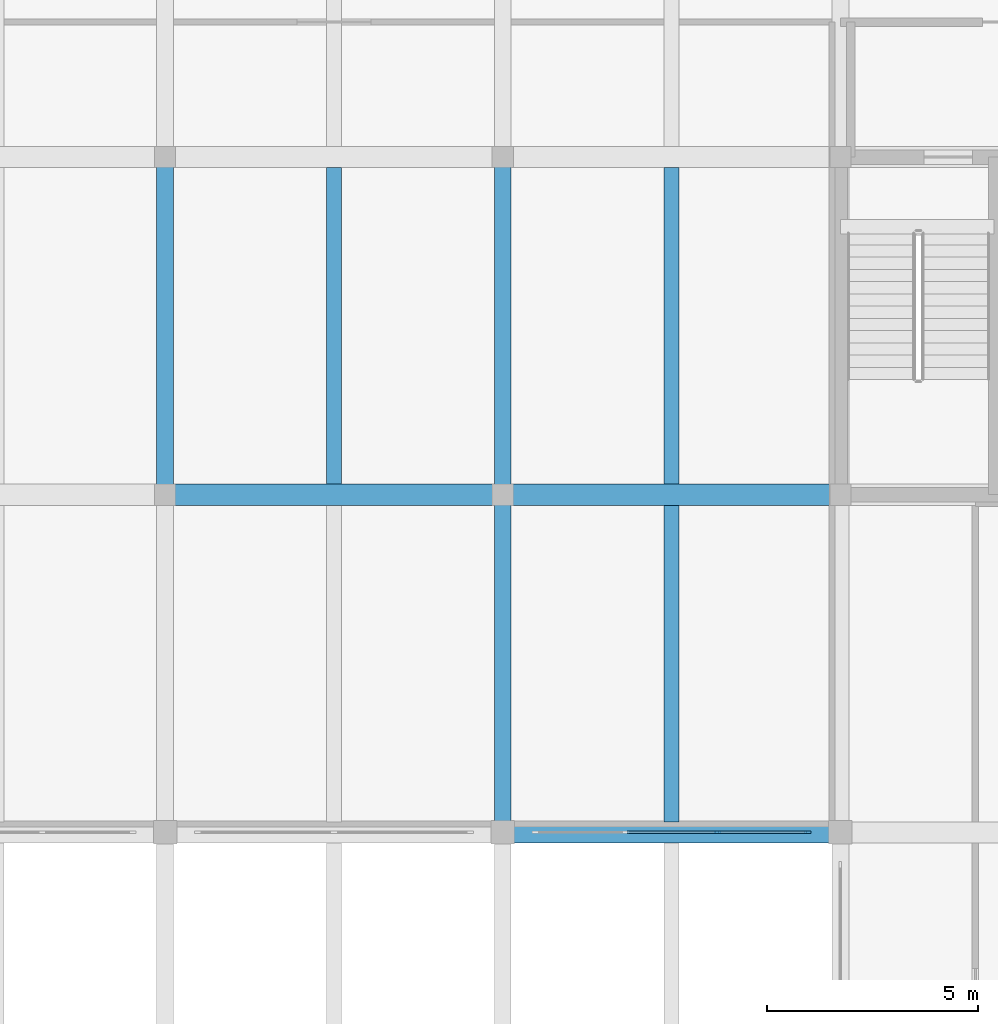
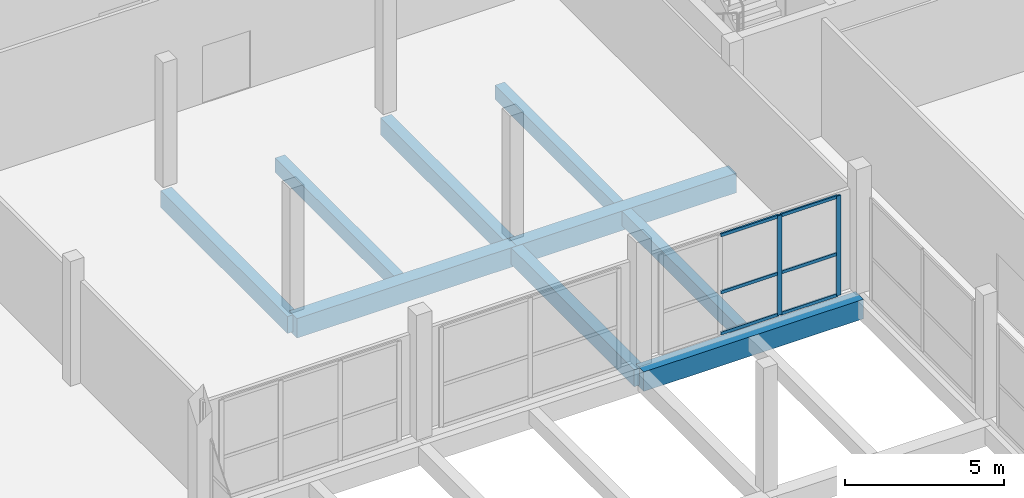
# One storey, part 9 of 47: 9 beams, 8 members, 1 element without a shape of its own.
"""IFC4 building model written with IfcOpenShell, lengths in metres."""

import ifcopenshell
import ifcopenshell.guid

model = None  # the IFC model being written
_history = None  # IfcOwnerHistory: only IFC2X3 demands one
_inside = {}  # id of a spatial element -> (the spatial element, [elements in it])
_under = {}  # id of a project, library or spatial element -> (it, [spatial elements below it])
_declared = {}  # id of a project -> (the project, [libraries it declares])
_typed = {}  # id of a type object -> (the type object, [elements of that type])
_made_of = {}  # id of a material, layer set ... -> (it, [elements and type objects made of it])


def new_model(schema):
    """Start an empty IFC model of exactly this schema.

    Asked for "IFC4X3", IfcOpenShell would pick the latest addendum, in which some entities
    have other attributes; the version numbers below select the first issue.
    IFC2X3 requires an IfcOwnerHistory on every rooted entity: one is made here for all.
    """
    global model, _history
    if schema == "IFC4X3":
        model = ifcopenshell.file(schema_version=(4, 3, 0, 0))
    else:
        model = ifcopenshell.file(schema=schema)
    _inside.clear()
    _under.clear()
    _declared.clear()
    _typed.clear()
    _made_of.clear()
    _history = None
    if model.schema == "IFC2X3":
        org = make("IfcOrganization", Name="unknown")
        user = make(
            "IfcPersonAndOrganization",
            ThePerson=make("IfcPerson", FamilyName="unknown"),
            TheOrganization=org,
        )
        app = make(
            "IfcApplication",
            ApplicationDeveloper=org,
            Version="unknown",
            ApplicationFullName="unknown",
            ApplicationIdentifier="unknown",
        )
        _history = make(
            "IfcOwnerHistory",
            OwningUser=user,
            OwningApplication=app,
            ChangeAction="ADDED",
            CreationDate=0,
        )
    return model


def make(cls, **values):
    """One entity of the class cls with the attributes given. An attribute that is None is left unset."""
    return model.create_entity(
        cls, **{name: value for name, value in values.items() if value is not None}
    )


def rooted(cls, **values):
    """An entity with a GlobalId (a new one), such as an element, a storey or a relation."""
    return make(cls, GlobalId=ifcopenshell.guid.new(), OwnerHistory=_history, **values)


def si_unit(unit_type, name, prefix=None):
    """IfcSIUnit, for example si_unit("LENGTHUNIT", "METRE", prefix="MILLI")."""
    return make("IfcSIUnit", UnitType=unit_type, Prefix=prefix, Name=name)


def assignment(units):
    """IfcUnitAssignment: the units of a project."""
    return None if units is None else make("IfcUnitAssignment", Units=units)


def point(xyz):
    """IfcCartesianPoint."""
    return None if xyz is None else make("IfcCartesianPoint", Coordinates=xyz)


def direction(xyz):
    """IfcDirection."""
    return None if xyz is None else make("IfcDirection", DirectionRatios=xyz)


def frame(location, z_axis=None, x_axis=None):
    """IfcAxis2Placement3D, a coordinate frame: its origin and axes. An axis left out is left unset."""
    return make(
        "IfcAxis2Placement3D",
        Location=point(location),
        Axis=direction(z_axis),
        RefDirection=direction(x_axis),
    )


def frame_2d(location, x_axis=None):
    """IfcAxis2Placement2D, a coordinate frame in the plane: its origin and x axis."""
    return make(
        "IfcAxis2Placement2D", Location=point(location), RefDirection=direction(x_axis)
    )


def origin():
    """The frame at (0, 0, 0) with its axes left unset."""
    return frame((0.0, 0.0, 0.0))


def origin_2d():
    """The frame at (0, 0) in the plane with its x axis left unset."""
    return frame_2d((0.0, 0.0))


def place(relative_to, where):
    """IfcLocalPlacement: puts the frame where relative to a parent placement (None: the world)."""
    return make(
        "IfcLocalPlacement", PlacementRelTo=relative_to, RelativePlacement=where
    )


def context(
    kind, dimensions, precision=None, world=None, true_north=None, identifier=None
):
    """IfcGeometricRepresentationContext, for example the 3D "Model" context."""
    return make(
        "IfcGeometricRepresentationContext",
        ContextIdentifier=identifier,
        ContextType=kind,
        CoordinateSpaceDimension=dimensions,
        Precision=precision,
        WorldCoordinateSystem=world,
        TrueNorth=true_north,
    )


def subcontext(parent, identifier, kind, view, scale=None):
    """IfcGeometricRepresentationSubContext, for example "Body" below "Model"."""
    return make(
        "IfcGeometricRepresentationSubContext",
        ContextIdentifier=identifier,
        ContextType=kind,
        ParentContext=parent,
        TargetScale=scale,
        TargetView=view,
    )


def project(units=None, contexts=None):
    """IfcProject with its units and contexts."""
    return rooted(
        "IfcProject",
        Name="project",
        RepresentationContexts=contexts,
        UnitsInContext=assignment(units),
    )


def spatial(cls, under=None, at=None, **own):
    """A site, building, storey or space (cls), placed at a placement, below another one or the project."""
    s = rooted(cls, ObjectPlacement=at, **own)
    if under is not None:
        _under.setdefault(under.id(), (under, []))[1].append(s)
    return s


def profile(cls, at=None, kind="AREA", **sizes):
    """A parametric profile (cls). Its sizes go by their IFC names, for example OverallWidth=200.0."""
    return make(cls, ProfileType=kind, Position=at, **sizes)


def rectangle(**sizes):
    """IfcRectangleProfileDef."""
    return profile("IfcRectangleProfileDef", **sizes)


def extrude(swept, where, along, depth):
    """IfcExtrudedAreaSolid: the profile swept, set in the frame where, extruded along a direction by depth."""
    return make(
        "IfcExtrudedAreaSolid",
        SweptArea=swept,
        Position=where,
        ExtrudedDirection=direction(along),
        Depth=depth,
    )


def shape(context_of_items, identifier, shape_type, items):
    """IfcShapeRepresentation: the items that make up one representation, for example the "Body"."""
    return make(
        "IfcShapeRepresentation",
        ContextOfItems=context_of_items,
        RepresentationIdentifier=identifier,
        RepresentationType=shape_type,
        Items=items,
    )


def material(Name=None, Category=None):
    """IfcMaterial."""
    return make("IfcMaterial", Name=Name, Category=Category)


def material_profile(
    of_material, cross_section, Name=None, Category=None, Priority=None
):
    """IfcMaterialProfile: a cross section and its material."""
    return make(
        "IfcMaterialProfile",
        Name=Name,
        Material=of_material,
        Profile=cross_section,
        Priority=Priority,
        Category=Category,
    )


def profile_set(profiles, Name=None, composite=None):
    """IfcMaterialProfileSet."""
    return make(
        "IfcMaterialProfileSet",
        Name=Name,
        MaterialProfiles=profiles,
        CompositeProfile=composite,
    )


def made_of(thing, what):
    """Note that an element or type object is made of a material, layer set ...; save() writes the relation."""
    if what is not None:
        _made_of.setdefault(what.id(), (what, []))[1].append(thing)
    return thing


def type_object(cls, material=None, **own):
    """A type object (cls), such as IfcWallType, which elements share."""
    return made_of(rooted(cls, **own), material)


def element(
    cls,
    number,
    at=None,
    inside=None,
    cuts=None,
    type_object=None,
    material=None,
    context=None,
    identifier="Body",
    shape_type=None,
    held_by="IfcProductDefinitionShape",
    body=None,
    shapes=None,
    **own,
):
    """One element of the class cls, such as IfcWall. Its Tag is "e" and its number.

    at: its placement. inside: the storey or other place that contains it. cuts: it is an
    opening in that element (IfcRelVoidsElement). A single representation is given by context,
    identifier, shape_type and body (its items); several are given by shapes. held_by: the class
    of the entity that holds the representations. save() writes the other relations.
    """
    e = rooted(cls, Tag="e%d" % number, ObjectPlacement=at, **own)
    if body is not None:
        shapes = [shape(context, identifier, shape_type, body)]
    if shapes is not None:
        e.Representation = make(held_by, Representations=shapes)
    if inside is not None:
        _inside.setdefault(inside.id(), (inside, []))[1].append(e)
    if cuts is not None:
        rooted(
            "IfcRelVoidsElement", RelatingBuildingElement=cuts, RelatedOpeningElement=e
        )
    if type_object is not None:
        _typed.setdefault(type_object.id(), (type_object, []))[1].append(e)
    return made_of(e, material)


def aggregate(whole, parts):
    """IfcRelAggregates: a whole, such as a stair, and the parts it consists of."""
    return rooted("IfcRelAggregates", RelatingObject=whole, RelatedObjects=parts)


def save(model, path):
    """Write the relations noted so far, then the file.

    IfcRelAggregates (storeys below a building ...), IfcRelContainedInSpatialStructure (elements
    in a storey), IfcRelDefinesByType, IfcRelAssociatesMaterial and IfcRelDeclares: one each for
    every whole, place, type object, material and project.
    """
    for whole, parts in _under.values():
        aggregate(whole, parts)
    for where, things in _inside.values():
        rooted(
            "IfcRelContainedInSpatialStructure",
            RelatedElements=things,
            RelatingStructure=where,
        )
    for kind, things in _typed.values():
        rooted("IfcRelDefinesByType", RelatedObjects=things, RelatingType=kind)
    for what, things in _made_of.values():
        rooted("IfcRelAssociatesMaterial", RelatedObjects=things, RelatingMaterial=what)
    for by, libraries in _declared.values():
        rooted("IfcRelDeclares", RelatingContext=by, RelatedDefinitions=libraries)
    model.write(path)


model = new_model("IFC4")

# Units and contexts
model_context = context("Model", 3, precision=1e-05, world=origin(), true_north=direction((0.0, 1.0)))
body_context = subcontext(model_context, "Body", "Model", "MODEL_VIEW")
ifc_project = project(units=[si_unit("LENGTHUNIT", "METRE"), si_unit("AREAUNIT", "SQUARE_METRE"), si_unit("VOLUMEUNIT", "CUBIC_METRE"), si_unit("PLANEANGLEUNIT", "RADIAN"), si_unit("MASSUNIT", "GRAM", prefix="KILO")], contexts=[model_context])

# Site, building, storey
site_placement = place(None, origin())
site = spatial("IfcSite", under=ifc_project, at=site_placement, CompositionType="ELEMENT")
building_placement = place(site_placement, origin())
building = spatial("IfcBuilding", under=site, at=building_placement, Name="Vharandega Faculty of Natural Sciences", CompositionType="ELEMENT")
storey_placement = place(building_placement, frame((0.0, 0.0, 5.39990234375)))
storey = spatial("IfcBuildingStorey", under=building, at=storey_placement, Name="L01", CompositionType="ELEMENT", Elevation=5.39990234375)

# Curtain wall, members
ifc_material_1 = material(Name="Aluminium and solar-control glass curtain wall", Category="aluminium")
curtain_wall_type = type_object("IfcCurtainWallType", Name="Unitised Curtain Wall System CW-15", PredefinedType="NOTDEFINED", material=ifc_material_1)
curtain_wall_placement = place(storey_placement, origin())
curtain_wall = element("IfcCurtainWall", 1, at=curtain_wall_placement, inside=storey, type_object=curtain_wall_type, Name="Curtain Wall CW-L01-126", PredefinedType="NOTDEFINED")
ifc_material_2 = material(Name="Thermally broken aluminium 6063-T6", Category="aluminium")
ifc_material_profile_1 = material_profile(ifc_material_2, rectangle(XDim=0.06005859375, YDim=0.159912109375, at=origin_2d()), Name="ALU 60x160")
ifc_profile_set_1 = profile_set([ifc_material_profile_1], Name="Thermally broken aluminium 6063-T6")
member_type_1 = type_object("IfcMemberType", Name="CW Mullion 60x160", PredefinedType="MULLION", material=ifc_profile_set_1)
member_1_placement = place(storey_placement, frame((29.086669921875, 32.0, 0.0), z_axis=(0.0, 0.0, 1.0), x_axis=(0.0, 1.0, 0.0)))
member_1 = element("IfcMember", 2, at=member_1_placement, type_object=member_type_1, Name="CW-15 mullion 3", PredefinedType="MULLION", context=body_context, shape_type="SweptSolid", body=[
    extrude(rectangle(XDim=0.06005859375, YDim=0.159912109375, at=origin_2d()), origin(), (0.0, 0.0, 1.0), 3.840087890625),
])
member_2_placement = place(storey_placement, frame((31.22998046875, 32.0, 0.0), z_axis=(0.0, 0.0, 1.0), x_axis=(0.0, 1.0, 0.0)))
member_2 = element("IfcMember", 3, at=member_2_placement, type_object=member_type_1, Name="CW-15 mullion 4", PredefinedType="MULLION", context=body_context, shape_type="SweptSolid", body=[
    extrude(rectangle(XDim=0.06005859375, YDim=0.159912109375, at=origin_2d()), origin(), (0.0, 0.0, 1.0), 3.840087890625),
])
ifc_material_3 = material(Name="Thermally broken aluminium 6063-T6", Category="aluminium")
ifc_material_profile_2 = material_profile(ifc_material_3, rectangle(XDim=0.06005859375, YDim=0.1201171875, at=origin_2d()), Name="ALU 60x120")
ifc_profile_set_2 = profile_set([ifc_material_profile_2], Name="Thermally broken aluminium 6063-T6")
member_type_2 = type_object("IfcMemberType", Name="CW Transom 60x120", PredefinedType="USERDEFINED", material=ifc_profile_set_2)
member_3_placement = place(storey_placement, frame((26.943359375, 32.0, 0.030029296875), z_axis=(1.0, 0.0, 0.0), x_axis=(0.0, 1.0, 0.0)))
member_3 = element("IfcMember", 4, at=member_3_placement, type_object=member_type_2, Name="CW-15 transom 2.1", ObjectType="TRANSOM", PredefinedType="USERDEFINED", context=body_context, shape_type="SweptSolid", body=[
    extrude(rectangle(XDim=0.06005859375, YDim=0.1201171875, at=origin_2d()), origin(), (0.0, 0.0, 1.0), 2.11328125),
])
member_4_placement = place(storey_placement, frame((26.943359375, 32.0, 1.61279296875), z_axis=(1.0, 0.0, 0.0), x_axis=(0.0, 1.0, 0.0)))
member_4 = element("IfcMember", 5, at=member_4_placement, type_object=member_type_2, Name="CW-15 transom 2.2", ObjectType="TRANSOM", PredefinedType="USERDEFINED", context=body_context, shape_type="SweptSolid", body=[
    extrude(rectangle(XDim=0.06005859375, YDim=0.1201171875, at=origin_2d()), origin(), (0.0, 0.0, 1.0), 2.11328125),
])
member_5_placement = place(storey_placement, frame((26.943359375, 32.0, 3.81005859375), z_axis=(1.0, 0.0, 0.0), x_axis=(0.0, 1.0, 0.0)))
member_5 = element("IfcMember", 6, at=member_5_placement, type_object=member_type_2, Name="CW-15 transom 2.3", ObjectType="TRANSOM", PredefinedType="USERDEFINED", context=body_context, shape_type="SweptSolid", body=[
    extrude(rectangle(XDim=0.06005859375, YDim=0.1201171875, at=origin_2d()), origin(), (0.0, 0.0, 1.0), 2.11328125),
])
member_6_placement = place(storey_placement, frame((29.11669921875, 32.0, 0.030029296875), z_axis=(1.0, 0.0, 0.0), x_axis=(0.0, 1.0, 0.0)))
member_6 = element("IfcMember", 7, at=member_6_placement, type_object=member_type_2, Name="CW-15 transom 3.1", ObjectType="TRANSOM", PredefinedType="USERDEFINED", context=body_context, shape_type="SweptSolid", body=[
    extrude(rectangle(XDim=0.06005859375, YDim=0.1201171875, at=origin_2d()), origin(), (0.0, 0.0, 1.0), 2.083251953125),
])
member_7_placement = place(storey_placement, frame((29.11669921875, 32.0, 1.61279296875), z_axis=(1.0, 0.0, 0.0), x_axis=(0.0, 1.0, 0.0)))
member_7 = element("IfcMember", 8, at=member_7_placement, type_object=member_type_2, Name="CW-15 transom 3.2", ObjectType="TRANSOM", PredefinedType="USERDEFINED", context=body_context, shape_type="SweptSolid", body=[
    extrude(rectangle(XDim=0.06005859375, YDim=0.1201171875, at=origin_2d()), origin(), (0.0, 0.0, 1.0), 2.083251953125),
])
member_8_placement = place(storey_placement, frame((29.11669921875, 32.0, 3.81005859375), z_axis=(1.0, 0.0, 0.0), x_axis=(0.0, 1.0, 0.0)))
member_8 = element("IfcMember", 9, at=member_8_placement, type_object=member_type_2, Name="CW-15 transom 3.3", ObjectType="TRANSOM", PredefinedType="USERDEFINED", context=body_context, shape_type="SweptSolid", body=[
    extrude(rectangle(XDim=0.06005859375, YDim=0.1201171875, at=origin_2d()), origin(), (0.0, 0.0, 1.0), 2.083251953125),
])
aggregate(curtain_wall, [member_1, member_2, member_3, member_4, member_5, member_6, member_7, member_8])

# Beams
ifc_material_4 = material(Name="Concrete C40/50", Category="concrete")
ifc_material_profile_3 = material_profile(ifc_material_4, rectangle(XDim=0.39990234375, YDim=0.64990234375, at=origin_2d()), Name="RC 400x650")
ifc_profile_set_3 = profile_set([ifc_material_profile_3], Name="Concrete C40/50")
beam_type_1 = type_object("IfcBeamType", Name="Podium Floor Beam 400x650", PredefinedType="BEAM", material=ifc_profile_set_3)
for number, where, z_axis, x_axis, name in (
    (10, (16.0, 40.0, -0.60498046875), (0.0, 1.0, 0.0), (-1.0, 0.0, 0.0), "Beam L01 3/F-G"),
    (11, (24.0, 32.0, -0.60498046875), (0.0, 1.0, 0.0), (-1.0, 0.0, 0.0), "Beam L01 4/E-F"),
    (12, (24.0, 40.0, -0.60498046875), (0.0, 1.0, 0.0), (-1.0, 0.0, 0.0), "Beam L01 4/F-G"),
):
    element("IfcBeam", number, at=place(storey_placement, frame(where, z_axis=z_axis, x_axis=x_axis)), inside=storey, type_object=beam_type_1, Name=name, PredefinedType="BEAM", context=body_context, shape_type="SweptSolid", body=[
        extrude(rectangle(XDim=0.39990234375, YDim=0.64990234375, at=origin_2d()), origin(), (0.0, 0.0, 1.0), 8.0),
    ])
ifc_material_5 = material(Name="Concrete C40/50", Category="concrete")
ifc_material_profile_4 = material_profile(ifc_material_5, rectangle(XDim=0.5, YDim=0.75, at=origin_2d()), Name="RC 500x750")
ifc_profile_set_4 = profile_set([ifc_material_profile_4], Name="Concrete C40/50")
beam_type_2 = type_object("IfcBeamType", Name="Podium Primary Beam 500x750", PredefinedType="BEAM", material=ifc_profile_set_4)
for number, where, z_axis, x_axis, name in (
    (13, (24.0, 32.0, -0.65478515625), (1.0, 0.0, 0.0), (0.0, 1.0, 0.0), "Beam L01 E/4-5"),
    (14, (16.0, 40.0, -0.65478515625), (1.0, 0.0, 0.0), (0.0, 1.0, 0.0), "Beam L01 F/3-4"),
    (15, (24.0, 40.0, -0.65478515625), (1.0, 0.0, 0.0), (0.0, 1.0, 0.0), "Beam L01 F/4-5"),
):
    element("IfcBeam", number, at=place(storey_placement, frame(where, z_axis=z_axis, x_axis=x_axis)), inside=storey, type_object=beam_type_2, Name=name, PredefinedType="BEAM", context=body_context, shape_type="SweptSolid", body=[
        extrude(rectangle(XDim=0.5, YDim=0.75, at=origin_2d()), origin(), (0.0, 0.0, 1.0), 8.0),
    ])
ifc_material_6 = material(Name="Concrete C40/50", Category="concrete")
ifc_material_profile_5 = material_profile(ifc_material_6, rectangle(XDim=0.35009765625, YDim=0.550048828125, at=origin_2d()), Name="RC 350x550")
ifc_profile_set_5 = profile_set([ifc_material_profile_5], Name="Concrete C40/50")
beam_type_3 = type_object("IfcBeamType", Name="Podium Secondary Beam 350x550", PredefinedType="JOIST", material=ifc_profile_set_5)
for number, where, z_axis, x_axis, name in (
    (16, (20.0, 40.25, -0.554931640625), (0.0, 1.0, 0.0), (-1.0, 0.0, 0.0), "Secondary Joist L01 3-4/F-G"),
    (17, (28.0, 32.25, -0.554931640625), (0.0, 1.0, 0.0), (-1.0, 0.0, 0.0), "Secondary Joist L01 4-5/E-F"),
    (18, (28.0, 40.25, -0.554931640625), (0.0, 1.0, 0.0), (-1.0, 0.0, 0.0), "Secondary Joist L01 4-5/F-G"),
):
    element("IfcBeam", number, at=place(storey_placement, frame(where, z_axis=z_axis, x_axis=x_axis)), inside=storey, type_object=beam_type_3, Name=name, PredefinedType="JOIST", context=body_context, shape_type="SweptSolid", body=[
        extrude(rectangle(XDim=0.35009765625, YDim=0.550048828125, at=origin_2d()), origin(), (0.0, 0.0, 1.0), 7.5),
    ])

save(model, "model.ifc")
